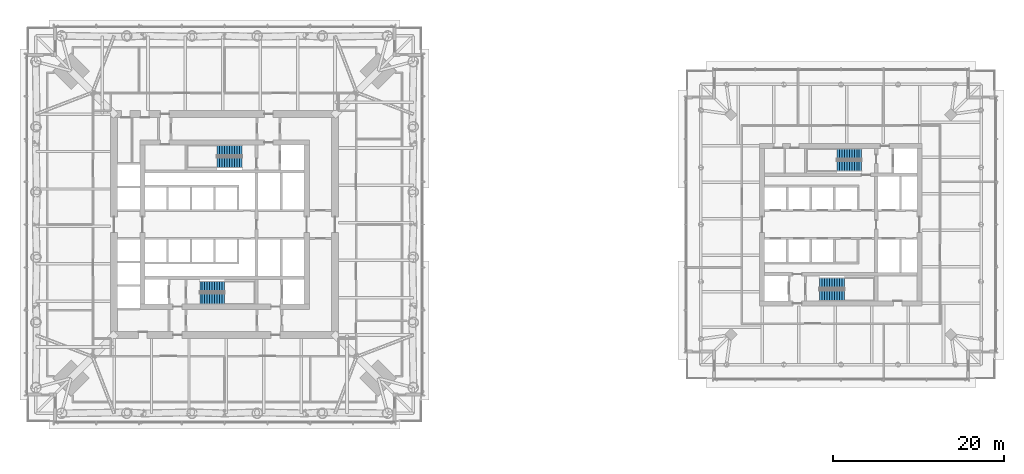
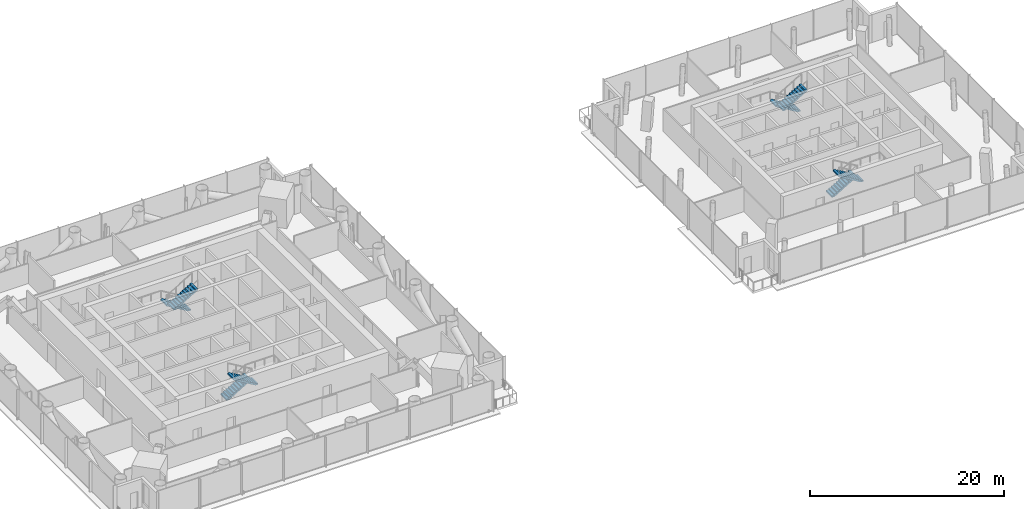
# One storey, part 16 of 28: 8 stair flights, 4 elements without a shape of their own.
"""IFC4 building model written with IfcOpenShell, lengths in metres."""

from ifc_helpers import new_model, si_unit, direction, frame, origin, place, context, subcontext, project, spatial, polyline, outline, extrude, material, type_object, element, aggregate, save


model = new_model("IFC4")

# Units and contexts
model_context = context("Model", 3, precision=1e-05, world=origin(), true_north=direction((0.0, 1.0)))
body_context = subcontext(model_context, "Body", "Model", "MODEL_VIEW")
ifc_project = project(units=[si_unit("LENGTHUNIT", "METRE"), si_unit("AREAUNIT", "SQUARE_METRE"), si_unit("VOLUMEUNIT", "CUBIC_METRE"), si_unit("PLANEANGLEUNIT", "RADIAN"), si_unit("MASSUNIT", "GRAM", prefix="KILO")], contexts=[model_context])

# Site, building, storey
site_placement = place(None, origin())
site = spatial("IfcSite", under=ifc_project, at=site_placement, CompositionType="ELEMENT")
building_placement = place(site_placement, origin())
building = spatial("IfcBuilding", under=site, at=building_placement, Name="Ostroluk Exchange", CompositionType="ELEMENT")
storey_placement = place(building_placement, frame((0.0, 0.0, 81.800048828125)))
storey = spatial("IfcBuildingStorey", under=building, at=storey_placement, Name="L20", CompositionType="ELEMENT", Elevation=81.800048828125)

# Stair, stair flights
ifc_material_1 = material(Name="Concrete C30/37", Category="concrete")
stair_type = type_object("IfcStairType", Name="Exit stair half turn 3800", PredefinedType="HALF_TURN_STAIR", material=ifc_material_1)
stair_1_placement = place(storey_placement, origin())
stair_1 = element("IfcStair", 1, at=stair_1_placement, inside=storey, type_object=stair_type, Name="Stair T1-S1 L20", PredefinedType="HALF_TURN_STAIR")
ifc_material_2 = material(Name="Concrete C30/37", Category="concrete")
stair_flight_type = type_object("IfcStairFlightType", Name="Stair flight 11 risers 172.7 x 290", PredefinedType="STRAIGHT", material=ifc_material_2)
stair_flight_1_placement = place(storey_placement, frame((42.10009765625, 38.77490234375, 0.0), z_axis=(0.0, 0.0, 1.0), x_axis=(1.0, 0.0, 0.0)))
stair_flight_1 = element("IfcStairFlight", 2, at=stair_flight_1_placement, type_object=stair_flight_type, Name="T1-S1 flight 1", NumberOfRisers=11, NumberOfTreads=10, PredefinedType="STRAIGHT", RiserHeight=0.172727273, TreadLength=0.29, context=body_context, shape_type="SweptSolid", body=[
    extrude(outline(polyline([(0.0, 0.0), (0.0, 0.172607421875), (0.2900390625, 0.172607421875), (0.2900390625, 0.345458984375), (0.580078125, 0.345458984375), (0.580078125, 0.51806640625), (0.8701171875, 0.51806640625), (0.8701171875, 0.69091796875), (1.159912109375, 0.69091796875), (1.159912109375, 0.863525390625), (1.449951171875, 0.863525390625), (1.449951171875, 1.036376953125), (1.739990234375, 1.036376953125), (1.739990234375, 1.208984375), (2.030029296875, 1.208984375), (2.030029296875, 1.3818359375), (2.320068359375, 1.3818359375), (2.320068359375, 1.554443359375), (2.610107421875, 1.554443359375), (2.610107421875, 1.727294921875), (2.89990234375, 1.727294921875), (2.89990234375, 1.89990234375), (2.89990234375, 1.552734375), (0.29296875, 0.0), (0.0, 0.0)])), frame((0.0, 0.625, 0.0), z_axis=(0.0, -1.0, 0.0), x_axis=(1.0, 0.0, 0.0)), (0.0, 0.0, 1.0), 1.25),
])
stair_flight_2_placement = place(storey_placement, frame((45.0, 37.324951171875, 1.89990234375), z_axis=(0.0, 0.0, 1.0), x_axis=(-1.0, 0.0, 0.0)))
stair_flight_2 = element("IfcStairFlight", 3, at=stair_flight_2_placement, type_object=stair_flight_type, Name="T1-S1 flight 2", NumberOfRisers=11, NumberOfTreads=10, PredefinedType="STRAIGHT", RiserHeight=0.172727273, TreadLength=0.29, context=body_context, shape_type="SweptSolid", body=[
    extrude(outline(polyline([(0.0, 0.0), (0.0, 0.172607421875), (0.2900390625, 0.172607421875), (0.2900390625, 0.345458984375), (0.580078125, 0.345458984375), (0.580078125, 0.51806640625), (0.8701171875, 0.51806640625), (0.8701171875, 0.69091796875), (1.159912109375, 0.69091796875), (1.159912109375, 0.863525390625), (1.449951171875, 0.863525390625), (1.449951171875, 1.036376953125), (1.739990234375, 1.036376953125), (1.739990234375, 1.208984375), (2.030029296875, 1.208984375), (2.030029296875, 1.3818359375), (2.320068359375, 1.3818359375), (2.320068359375, 1.554443359375), (2.610107421875, 1.554443359375), (2.610107421875, 1.727294921875), (2.89990234375, 1.727294921875), (2.89990234375, 1.89990234375), (2.89990234375, 1.552734375), (0.29296875, 0.0), (0.0, 0.0)])), frame((0.0, 0.625, 0.0), z_axis=(0.0, -1.0, 0.0), x_axis=(1.0, 0.0, 0.0)), (0.0, 0.0, 1.0), 1.25),
])
aggregate(stair_1, [stair_flight_1, stair_flight_2])

stair_2_placement = place(storey_placement, origin())
stair_2 = element("IfcStair", 4, at=stair_2_placement, inside=storey, type_object=stair_type, Name="Stair T1-S2 L20", PredefinedType="HALF_TURN_STAIR")
stair_flight_3_placement = place(storey_placement, frame((47.030029296875, 54.675048828125, 0.0), z_axis=(0.0, 0.0, 1.0), x_axis=(-1.0, 0.0, 0.0)))
stair_flight_3 = element("IfcStairFlight", 5, at=stair_flight_3_placement, type_object=stair_flight_type, Name="T1-S2 flight 1", NumberOfRisers=11, NumberOfTreads=10, PredefinedType="STRAIGHT", RiserHeight=0.172727273, TreadLength=0.29, context=body_context, shape_type="SweptSolid", body=[
    extrude(outline(polyline([(0.0, 0.0), (0.0, 0.172607421875), (0.2900390625, 0.172607421875), (0.2900390625, 0.345458984375), (0.580078125, 0.345458984375), (0.580078125, 0.51806640625), (0.8701171875, 0.51806640625), (0.8701171875, 0.69091796875), (1.159912109375, 0.69091796875), (1.159912109375, 0.863525390625), (1.449951171875, 0.863525390625), (1.449951171875, 1.036376953125), (1.739990234375, 1.036376953125), (1.739990234375, 1.208984375), (2.030029296875, 1.208984375), (2.030029296875, 1.3818359375), (2.320068359375, 1.3818359375), (2.320068359375, 1.554443359375), (2.610107421875, 1.554443359375), (2.610107421875, 1.727294921875), (2.89990234375, 1.727294921875), (2.89990234375, 1.89990234375), (2.89990234375, 1.552734375), (0.29296875, 0.0), (0.0, 0.0)])), frame((0.0, 0.625, 0.0), z_axis=(0.0, -1.0, 0.0), x_axis=(1.0, 0.0, 0.0)), (0.0, 0.0, 1.0), 1.25),
])
stair_flight_4_placement = place(storey_placement, frame((44.1298828125, 53.22509765625, 1.89990234375), z_axis=(0.0, 0.0, 1.0), x_axis=(1.0, 0.0, 0.0)))
stair_flight_4 = element("IfcStairFlight", 6, at=stair_flight_4_placement, type_object=stair_flight_type, Name="T1-S2 flight 2", NumberOfRisers=11, NumberOfTreads=10, PredefinedType="STRAIGHT", RiserHeight=0.172727273, TreadLength=0.29, context=body_context, shape_type="SweptSolid", body=[
    extrude(outline(polyline([(0.0, 0.0), (0.0, 0.172607421875), (0.2900390625, 0.172607421875), (0.2900390625, 0.345458984375), (0.580078125, 0.345458984375), (0.580078125, 0.51806640625), (0.8701171875, 0.51806640625), (0.8701171875, 0.69091796875), (1.159912109375, 0.69091796875), (1.159912109375, 0.863525390625), (1.449951171875, 0.863525390625), (1.449951171875, 1.036376953125), (1.739990234375, 1.036376953125), (1.739990234375, 1.208984375), (2.030029296875, 1.208984375), (2.030029296875, 1.3818359375), (2.320068359375, 1.3818359375), (2.320068359375, 1.554443359375), (2.610107421875, 1.554443359375), (2.610107421875, 1.727294921875), (2.89990234375, 1.727294921875), (2.89990234375, 1.89990234375), (2.89990234375, 1.552734375), (0.29296875, 0.0), (0.0, 0.0)])), frame((0.0, 0.625, 0.0), z_axis=(0.0, -1.0, 0.0), x_axis=(1.0, 0.0, 0.0)), (0.0, 0.0, 1.0), 1.25),
])
aggregate(stair_2, [stair_flight_3, stair_flight_4])

stair_3_placement = place(storey_placement, origin())
stair_3 = element("IfcStair", 7, at=stair_3_placement, inside=storey, type_object=stair_type, Name="Stair T2-S1 L20", PredefinedType="HALF_TURN_STAIR")
stair_flight_5_placement = place(storey_placement, frame((114.5, 39.175048828125, 0.0), z_axis=(0.0, 0.0, 1.0), x_axis=(1.0, 0.0, 0.0)))
stair_flight_5 = element("IfcStairFlight", 8, at=stair_flight_5_placement, type_object=stair_flight_type, Name="T2-S1 flight 1", NumberOfRisers=11, NumberOfTreads=10, PredefinedType="STRAIGHT", RiserHeight=0.172727273, TreadLength=0.29, context=body_context, shape_type="SweptSolid", body=[
    extrude(outline(polyline([(0.0, 0.0), (0.0, 0.172607421875), (0.2900390625, 0.172607421875), (0.2900390625, 0.345458984375), (0.580078125, 0.345458984375), (0.580078125, 0.51806640625), (0.8701171875, 0.51806640625), (0.8701171875, 0.69091796875), (1.159912109375, 0.69091796875), (1.159912109375, 0.863525390625), (1.449951171875, 0.863525390625), (1.449951171875, 1.036376953125), (1.739990234375, 1.036376953125), (1.739990234375, 1.208984375), (2.030029296875, 1.208984375), (2.030029296875, 1.3818359375), (2.320068359375, 1.3818359375), (2.320068359375, 1.554443359375), (2.610107421875, 1.554443359375), (2.610107421875, 1.727294921875), (2.89990234375, 1.727294921875), (2.89990234375, 1.89990234375), (2.89990234375, 1.552734375), (0.29296875, 0.0), (0.0, 0.0)])), frame((0.0, 0.625, 0.0), z_axis=(0.0, -1.0, 0.0), x_axis=(1.0, 0.0, 0.0)), (0.0, 0.0, 1.0), 1.25),
])
stair_flight_6_placement = place(storey_placement, frame((117.39990234375, 37.72509765625, 1.89990234375), z_axis=(0.0, 0.0, 1.0), x_axis=(-1.0, 0.0, 0.0)))
stair_flight_6 = element("IfcStairFlight", 9, at=stair_flight_6_placement, type_object=stair_flight_type, Name="T2-S1 flight 2", NumberOfRisers=11, NumberOfTreads=10, PredefinedType="STRAIGHT", RiserHeight=0.172727273, TreadLength=0.29, context=body_context, shape_type="SweptSolid", body=[
    extrude(outline(polyline([(0.0, 0.0), (0.0, 0.172607421875), (0.2900390625, 0.172607421875), (0.2900390625, 0.345458984375), (0.580078125, 0.345458984375), (0.580078125, 0.51806640625), (0.8701171875, 0.51806640625), (0.8701171875, 0.69091796875), (1.159912109375, 0.69091796875), (1.159912109375, 0.863525390625), (1.449951171875, 0.863525390625), (1.449951171875, 1.036376953125), (1.739990234375, 1.036376953125), (1.739990234375, 1.208984375), (2.030029296875, 1.208984375), (2.030029296875, 1.3818359375), (2.320068359375, 1.3818359375), (2.320068359375, 1.554443359375), (2.610107421875, 1.554443359375), (2.610107421875, 1.727294921875), (2.89990234375, 1.727294921875), (2.89990234375, 1.89990234375), (2.89990234375, 1.552734375), (0.29296875, 0.0), (0.0, 0.0)])), frame((0.0, 0.625, 0.0), z_axis=(0.0, -1.0, 0.0), x_axis=(1.0, 0.0, 0.0)), (0.0, 0.0, 1.0), 1.25),
])
aggregate(stair_3, [stair_flight_5, stair_flight_6])

stair_4_placement = place(storey_placement, origin())
stair_4 = element("IfcStair", 10, at=stair_4_placement, inside=storey, type_object=stair_type, Name="Stair T2-S2 L20", PredefinedType="HALF_TURN_STAIR")
stair_flight_7_placement = place(storey_placement, frame((119.429931640625, 54.27490234375, 0.0), z_axis=(0.0, 0.0, 1.0), x_axis=(-1.0, 0.0, 0.0)))
stair_flight_7 = element("IfcStairFlight", 11, at=stair_flight_7_placement, type_object=stair_flight_type, Name="T2-S2 flight 1", NumberOfRisers=11, NumberOfTreads=10, PredefinedType="STRAIGHT", RiserHeight=0.172727273, TreadLength=0.29, context=body_context, shape_type="SweptSolid", body=[
    extrude(outline(polyline([(0.0, 0.0), (0.0, 0.172607421875), (0.2900390625, 0.172607421875), (0.2900390625, 0.345458984375), (0.580078125, 0.345458984375), (0.580078125, 0.51806640625), (0.8701171875, 0.51806640625), (0.8701171875, 0.69091796875), (1.159912109375, 0.69091796875), (1.159912109375, 0.863525390625), (1.449951171875, 0.863525390625), (1.449951171875, 1.036376953125), (1.739990234375, 1.036376953125), (1.739990234375, 1.208984375), (2.030029296875, 1.208984375), (2.030029296875, 1.3818359375), (2.320068359375, 1.3818359375), (2.320068359375, 1.554443359375), (2.610107421875, 1.554443359375), (2.610107421875, 1.727294921875), (2.89990234375, 1.727294921875), (2.89990234375, 1.89990234375), (2.89990234375, 1.552734375), (0.29296875, 0.0), (0.0, 0.0)])), frame((0.0, 0.625, 0.0), z_axis=(0.0, -1.0, 0.0), x_axis=(1.0, 0.0, 0.0)), (0.0, 0.0, 1.0), 1.25),
])
stair_flight_8_placement = place(storey_placement, frame((116.530029296875, 52.824951171875, 1.89990234375), z_axis=(0.0, 0.0, 1.0), x_axis=(1.0, 0.0, 0.0)))
stair_flight_8 = element("IfcStairFlight", 12, at=stair_flight_8_placement, type_object=stair_flight_type, Name="T2-S2 flight 2", NumberOfRisers=11, NumberOfTreads=10, PredefinedType="STRAIGHT", RiserHeight=0.172727273, TreadLength=0.29, context=body_context, shape_type="SweptSolid", body=[
    extrude(outline(polyline([(0.0, 0.0), (0.0, 0.172607421875), (0.2900390625, 0.172607421875), (0.2900390625, 0.345458984375), (0.580078125, 0.345458984375), (0.580078125, 0.51806640625), (0.8701171875, 0.51806640625), (0.8701171875, 0.69091796875), (1.159912109375, 0.69091796875), (1.159912109375, 0.863525390625), (1.449951171875, 0.863525390625), (1.449951171875, 1.036376953125), (1.739990234375, 1.036376953125), (1.739990234375, 1.208984375), (2.030029296875, 1.208984375), (2.030029296875, 1.3818359375), (2.320068359375, 1.3818359375), (2.320068359375, 1.554443359375), (2.610107421875, 1.554443359375), (2.610107421875, 1.727294921875), (2.89990234375, 1.727294921875), (2.89990234375, 1.89990234375), (2.89990234375, 1.552734375), (0.29296875, 0.0), (0.0, 0.0)])), frame((0.0, 0.625, 0.0), z_axis=(0.0, -1.0, 0.0), x_axis=(1.0, 0.0, 0.0)), (0.0, 0.0, 1.0), 1.25),
])
aggregate(stair_4, [stair_flight_7, stair_flight_8])

save(model, "model.ifc")
